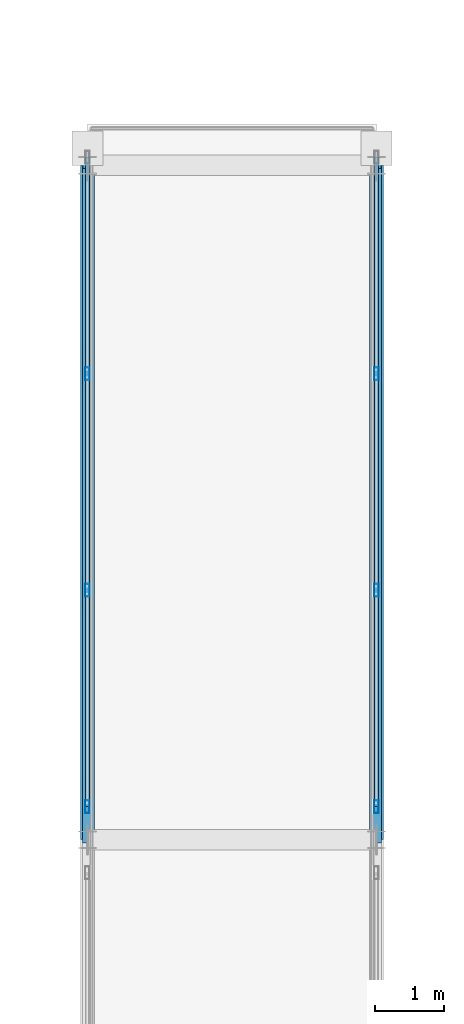
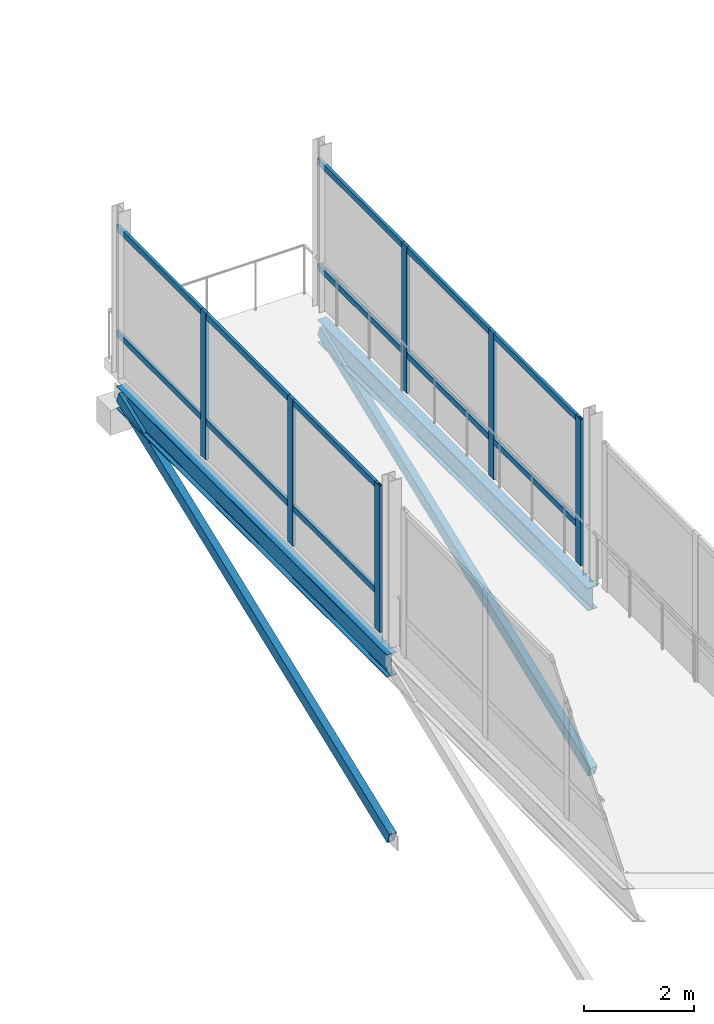
# One storey, part 23 of 128: 12 members, 2 beams, 2 elements without a shape of their own.
"""IFC4 building model written with IfcOpenShell, lengths in metres."""

from ifc_helpers import new_model, si_unit, direction, frame, origin, origin_2d, place, context, subcontext, project, spatial, hollow_rectangle, i_section, extrude, material, material_profile, profile_set, type_object, element, aggregate, save


model = new_model("IFC4")

# Units and contexts
model_context = context("Model", 3, precision=1e-05, world=origin(), true_north=direction((0.0, 1.0)))
body_context = subcontext(model_context, "Body", "Model", "MODEL_VIEW")
ifc_project = project(units=[si_unit("LENGTHUNIT", "METRE"), si_unit("AREAUNIT", "SQUARE_METRE"), si_unit("VOLUMEUNIT", "CUBIC_METRE"), si_unit("PLANEANGLEUNIT", "RADIAN"), si_unit("MASSUNIT", "GRAM", prefix="KILO")], contexts=[model_context])

# Site, building, storey
site_placement = place(None, origin())
site = spatial("IfcSite", under=ifc_project, at=site_placement, CompositionType="ELEMENT")
building_placement = place(site_placement, origin())
building = spatial("IfcBuilding", under=site, at=building_placement, Name="Zornivar Specialist Clinic", CompositionType="ELEMENT")
storey_placement = place(building_placement, frame((0.0, 0.0, 4.5)))
storey = spatial("IfcBuildingStorey", under=building, at=storey_placement, Name="L01", CompositionType="ELEMENT", Elevation=4.5)

# Beams
ifc_material_1 = material(Name="Steel S355J2", Category="steel")
ifc_material_profile_1 = material_profile(ifc_material_1, i_section(OverallWidth=0.199951171875, OverallDepth=0.5, WebThickness=0.01025390625, FlangeThickness=0.01611328125, FilletRadius=0.02099609375, at=origin_2d()), Name="IPE 500")
ifc_profile_set_1 = profile_set([ifc_material_profile_1], Name="Steel S355J2")
beam_type = type_object("IfcBeamType", Name="BM-STL-IPE500", PredefinedType="BEAM", material=ifc_profile_set_1)
for number, where, z_axis, x_axis, name in (
    (1, (50.199951171875, 22.0, -0.47998046875), (0.0, 1.0, 0.0), (-1.0, 0.0, 0.0), "bm:BR1:L01:g:502:2"),
    (2, (54.39990234375, 22.0, -0.47998046875), (0.0, 1.0, 0.0), (-1.0, 0.0, 0.0), "bm:BR1:L01:g:544:2"),
):
    element("IfcBeam", number, at=place(storey_placement, frame(where, z_axis=z_axis, x_axis=x_axis)), inside=storey, type_object=beam_type, Name=name, PredefinedType="BEAM", context=body_context, shape_type="SweptSolid", body=[
        extrude(i_section(OverallWidth=0.199951171875, OverallDepth=0.5, WebThickness=0.01025390625, FlangeThickness=0.01611328125, FilletRadius=0.02099609375, at=origin_2d()), origin(), (0.0, 0.0, 1.0), 9.800048828125),
    ])

# Curtain wall, members
ifc_material_2 = material(Name="Aluminium and Low-E Glass Curtain Wall", Category="aluminium")
curtain_wall_type = type_object("IfcCurtainWallType", Name="CW-BRIDGE-LINK", PredefinedType="NOTDEFINED", material=ifc_material_2)
curtain_wall_1_placement = place(storey_placement, origin())
curtain_wall_1 = element("IfcCurtainWall", 3, at=curtain_wall_1_placement, inside=storey, type_object=curtain_wall_type, Name="cw:BR1:L01:W:2", PredefinedType="NOTDEFINED")
ifc_material_3 = material(Name="Aluminium AW-6060", Category="aluminium")
ifc_material_profile_2 = material_profile(ifc_material_3, hollow_rectangle(XDim=0.06494140625, YDim=0.18505859375, WallThickness=0.00439453125, at=origin_2d()), Name="ALU 65x185x4.5")
ifc_profile_set_2 = profile_set([ifc_material_profile_2], Name="Aluminium AW-6060")
member_type_1 = type_object("IfcMemberType", Name="CWM-MUL-185", PredefinedType="MULLION", material=ifc_profile_set_2)
member_1_placement = place(storey_placement, frame((50.199951171875, 22.47998046875, 0.0), z_axis=(0.0, 0.0, 1.0), x_axis=(1.0, 0.0, 0.0)))
member_1 = element("IfcMember", 4, at=member_1_placement, type_object=member_type_1, Name="cw:BR1:L01:W:2:mul:0", PredefinedType="MULLION", context=body_context, shape_type="SweptSolid", body=[
    extrude(hollow_rectangle(XDim=0.06494140625, YDim=0.18505859375, WallThickness=0.00439453125, at=origin_2d()), origin(), (0.0, 0.0, 1.0), 3.239990234375),
])
member_2_placement = place(storey_placement, frame((50.199951171875, 25.626953125, 0.0), z_axis=(0.0, 0.0, 1.0), x_axis=(1.0, 0.0, 0.0)))
member_2 = element("IfcMember", 5, at=member_2_placement, type_object=member_type_1, Name="cw:BR1:L01:W:2:mul:1", PredefinedType="MULLION", context=body_context, shape_type="SweptSolid", body=[
    extrude(hollow_rectangle(XDim=0.06494140625, YDim=0.18505859375, WallThickness=0.00439453125, at=origin_2d()), origin(), (0.0, 0.0, 1.0), 3.239990234375),
])
member_3_placement = place(storey_placement, frame((50.199951171875, 28.77294921875, 0.0), z_axis=(0.0, 0.0, 1.0), x_axis=(1.0, 0.0, 0.0)))
member_3 = element("IfcMember", 6, at=member_3_placement, type_object=member_type_1, Name="cw:BR1:L01:W:2:mul:2", PredefinedType="MULLION", context=body_context, shape_type="SweptSolid", body=[
    extrude(hollow_rectangle(XDim=0.06494140625, YDim=0.18505859375, WallThickness=0.00439453125, at=origin_2d()), origin(), (0.0, 0.0, 1.0), 3.239990234375),
])

curtain_wall_2_placement = place(storey_placement, origin())
curtain_wall_2 = element("IfcCurtainWall", 7, at=curtain_wall_2_placement, inside=storey, type_object=curtain_wall_type, Name="cw:BR1:L01:E:2", PredefinedType="NOTDEFINED")
member_4_placement = place(storey_placement, frame((54.39990234375, 22.47998046875, 0.0), z_axis=(0.0, 0.0, 1.0), x_axis=(1.0, 0.0, 0.0)))
member_4 = element("IfcMember", 8, at=member_4_placement, type_object=member_type_1, Name="cw:BR1:L01:E:2:mul:0", PredefinedType="MULLION", context=body_context, shape_type="SweptSolid", body=[
    extrude(hollow_rectangle(XDim=0.06494140625, YDim=0.18505859375, WallThickness=0.00439453125, at=origin_2d()), origin(), (0.0, 0.0, 1.0), 3.239990234375),
])
member_5_placement = place(storey_placement, frame((54.39990234375, 25.626953125, 0.0), z_axis=(0.0, 0.0, 1.0), x_axis=(1.0, 0.0, 0.0)))
member_5 = element("IfcMember", 9, at=member_5_placement, type_object=member_type_1, Name="cw:BR1:L01:E:2:mul:1", PredefinedType="MULLION", context=body_context, shape_type="SweptSolid", body=[
    extrude(hollow_rectangle(XDim=0.06494140625, YDim=0.18505859375, WallThickness=0.00439453125, at=origin_2d()), origin(), (0.0, 0.0, 1.0), 3.239990234375),
])
member_6_placement = place(storey_placement, frame((54.39990234375, 28.77294921875, 0.0), z_axis=(0.0, 0.0, 1.0), x_axis=(1.0, 0.0, 0.0)))
member_6 = element("IfcMember", 10, at=member_6_placement, type_object=member_type_1, Name="cw:BR1:L01:E:2:mul:2", PredefinedType="MULLION", context=body_context, shape_type="SweptSolid", body=[
    extrude(hollow_rectangle(XDim=0.06494140625, YDim=0.18505859375, WallThickness=0.00439453125, at=origin_2d()), origin(), (0.0, 0.0, 1.0), 3.239990234375),
])

# Member
ifc_material_4 = material(Name="Aluminium AW-6060", Category="aluminium")
ifc_material_profile_3 = material_profile(ifc_material_4, hollow_rectangle(XDim=0.06005859375, YDim=0.1298828125, WallThickness=0.00390625, at=origin_2d()), Name="ALU 60x130x4")
ifc_profile_set_3 = profile_set([ifc_material_profile_3], Name="Aluminium AW-6060")
member_type_2 = type_object("IfcMemberType", Name="CWM-TRN-130", PredefinedType="USERDEFINED", material=ifc_profile_set_3)
member_7_placement = place(storey_placement, frame((50.199951171875, 22.47998046875, 0.842041015625), z_axis=(0.0, 1.0, 0.0), x_axis=(-1.0, 0.0, 0.0)))
member_7 = element("IfcMember", 11, at=member_7_placement, type_object=member_type_2, Name="cw:BR1:L01:W:2:trn:0", ObjectType="TRANSOM", PredefinedType="USERDEFINED", context=body_context, shape_type="SweptSolid", body=[
    extrude(hollow_rectangle(XDim=0.06005859375, YDim=0.1298828125, WallThickness=0.00390625, at=origin_2d()), origin(), (0.0, 0.0, 1.0), 9.43994140625),
])

member_8_placement = place(storey_placement, frame((50.199951171875, 22.47998046875, 3.175048828125), z_axis=(0.0, 1.0, 0.0), x_axis=(-1.0, 0.0, 0.0)))
member_8 = element("IfcMember", 12, at=member_8_placement, type_object=member_type_2, Name="cw:BR1:L01:W:2:trn:1", ObjectType="TRANSOM", PredefinedType="USERDEFINED", context=body_context, shape_type="SweptSolid", body=[
    extrude(hollow_rectangle(XDim=0.06005859375, YDim=0.1298828125, WallThickness=0.00390625, at=origin_2d()), origin(), (0.0, 0.0, 1.0), 9.43994140625),
])

aggregate(curtain_wall_1, [member_1, member_2, member_3, member_7, member_8])

member_9_placement = place(storey_placement, frame((54.39990234375, 22.47998046875, 0.842041015625), z_axis=(0.0, 1.0, 0.0), x_axis=(-1.0, 0.0, 0.0)))
member_9 = element("IfcMember", 13, at=member_9_placement, type_object=member_type_2, Name="cw:BR1:L01:E:2:trn:0", ObjectType="TRANSOM", PredefinedType="USERDEFINED", context=body_context, shape_type="SweptSolid", body=[
    extrude(hollow_rectangle(XDim=0.06005859375, YDim=0.1298828125, WallThickness=0.00390625, at=origin_2d()), origin(), (0.0, 0.0, 1.0), 9.43994140625),
])

member_10_placement = place(storey_placement, frame((54.39990234375, 22.47998046875, 3.175048828125), z_axis=(0.0, 1.0, 0.0), x_axis=(-1.0, 0.0, 0.0)))
member_10 = element("IfcMember", 14, at=member_10_placement, type_object=member_type_2, Name="cw:BR1:L01:E:2:trn:1", ObjectType="TRANSOM", PredefinedType="USERDEFINED", context=body_context, shape_type="SweptSolid", body=[
    extrude(hollow_rectangle(XDim=0.06005859375, YDim=0.1298828125, WallThickness=0.00390625, at=origin_2d()), origin(), (0.0, 0.0, 1.0), 9.43994140625),
])

aggregate(curtain_wall_2, [member_4, member_5, member_6, member_9, member_10])

# Members
ifc_material_5 = material(Name="Steel S355J2", Category="steel")
ifc_material_profile_4 = material_profile(ifc_material_5, hollow_rectangle(XDim=0.14990234375, YDim=0.25, WallThickness=0.010009765625, at=origin_2d()), Name="RHS 250x150x10")
ifc_profile_set_4 = profile_set([ifc_material_profile_4], Name="Steel S355J2")
member_type_3 = type_object("IfcMemberType", Name="MEM-BR-BRACE-RHS250", PredefinedType="BRACE", material=ifc_profile_set_4)
for number, where, z_axis, x_axis, name in (
    (15, (50.199951171875, 22.0, -4.300048828125), (0.0, 0.931717320605, 0.363184298236), (-1.0, 0.0, 0.0), "mem:BR1:L01:brace:2"),
    (16, (54.39990234375, 22.0, -4.300048828125), (0.0, 0.931717320605, 0.363184298236), (-1.0, 0.0, 0.0), "mem:BR1:L01:braceE:2"),
):
    element("IfcMember", number, at=place(storey_placement, frame(where, z_axis=z_axis, x_axis=x_axis)), inside=storey, type_object=member_type_3, Name=name, PredefinedType="BRACE", context=body_context, shape_type="SweptSolid", body=[
        extrude(hollow_rectangle(XDim=0.14990234375, YDim=0.25, WallThickness=0.010009765625, at=origin_2d()), origin(), (0.0, 0.0, 1.0), 10.518310546875),
    ])

save(model, "model.ifc")
